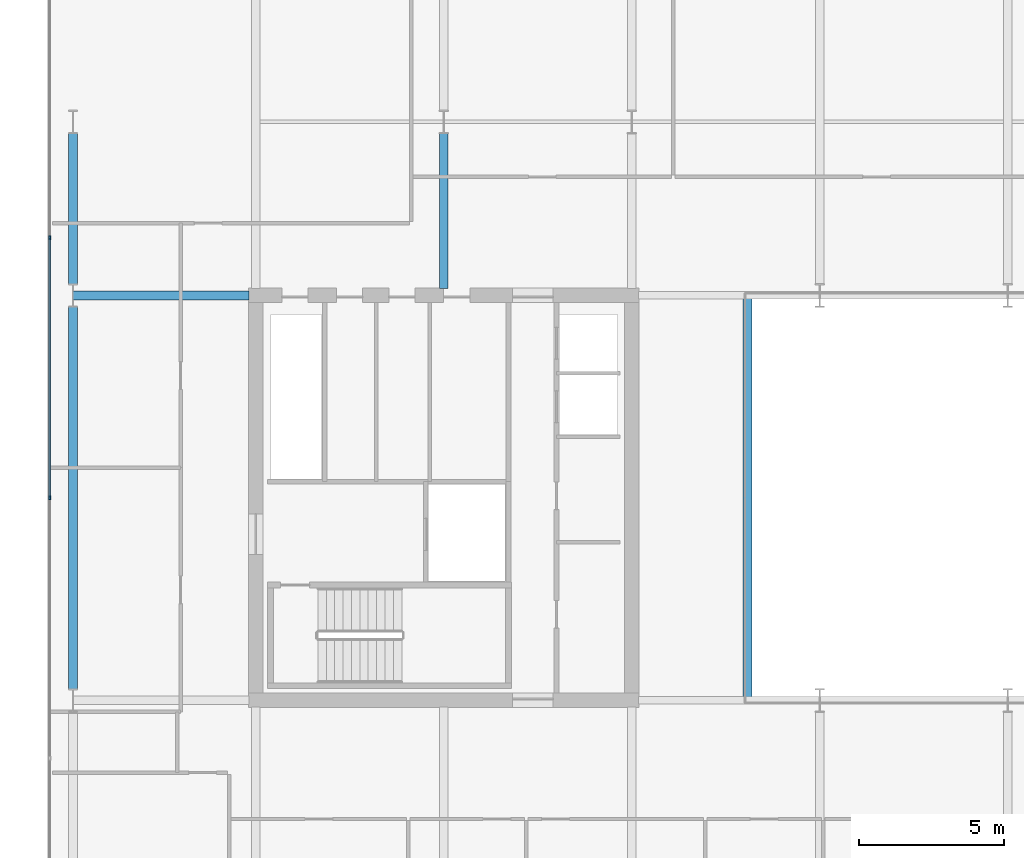
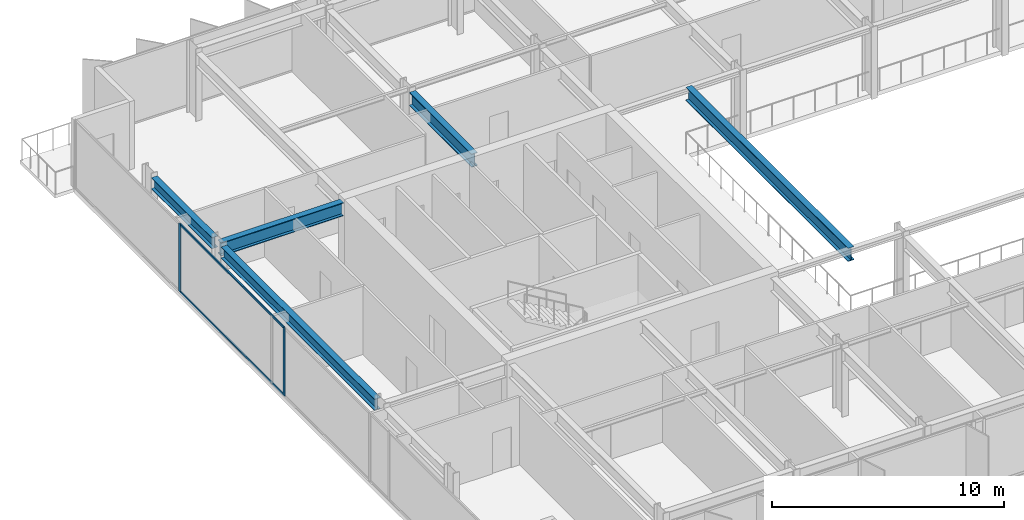
# One storey, part 5 of 23: 5 beams, 4 members, 1 element without a shape of its own.
"""IFC4 building model written with IfcOpenShell, lengths in metres."""

import ifcopenshell
import ifcopenshell.guid

model = None  # the IFC model being written
_history = None  # IfcOwnerHistory: only IFC2X3 demands one
_inside = {}  # id of a spatial element -> (the spatial element, [elements in it])
_under = {}  # id of a project, library or spatial element -> (it, [spatial elements below it])
_declared = {}  # id of a project -> (the project, [libraries it declares])
_typed = {}  # id of a type object -> (the type object, [elements of that type])
_made_of = {}  # id of a material, layer set ... -> (it, [elements and type objects made of it])


def new_model(schema):
    """Start an empty IFC model of exactly this schema.

    Asked for "IFC4X3", IfcOpenShell would pick the latest addendum, in which some entities
    have other attributes; the version numbers below select the first issue.
    IFC2X3 requires an IfcOwnerHistory on every rooted entity: one is made here for all.
    """
    global model, _history
    if schema == "IFC4X3":
        model = ifcopenshell.file(schema_version=(4, 3, 0, 0))
    else:
        model = ifcopenshell.file(schema=schema)
    _inside.clear()
    _under.clear()
    _declared.clear()
    _typed.clear()
    _made_of.clear()
    _history = None
    if model.schema == "IFC2X3":
        org = make("IfcOrganization", Name="unknown")
        user = make(
            "IfcPersonAndOrganization",
            ThePerson=make("IfcPerson", FamilyName="unknown"),
            TheOrganization=org,
        )
        app = make(
            "IfcApplication",
            ApplicationDeveloper=org,
            Version="unknown",
            ApplicationFullName="unknown",
            ApplicationIdentifier="unknown",
        )
        _history = make(
            "IfcOwnerHistory",
            OwningUser=user,
            OwningApplication=app,
            ChangeAction="ADDED",
            CreationDate=0,
        )
    return model


def make(cls, **values):
    """One entity of the class cls with the attributes given. An attribute that is None is left unset."""
    return model.create_entity(
        cls, **{name: value for name, value in values.items() if value is not None}
    )


def rooted(cls, **values):
    """An entity with a GlobalId (a new one), such as an element, a storey or a relation."""
    return make(cls, GlobalId=ifcopenshell.guid.new(), OwnerHistory=_history, **values)


def si_unit(unit_type, name, prefix=None):
    """IfcSIUnit, for example si_unit("LENGTHUNIT", "METRE", prefix="MILLI")."""
    return make("IfcSIUnit", UnitType=unit_type, Prefix=prefix, Name=name)


def assignment(units):
    """IfcUnitAssignment: the units of a project."""
    return None if units is None else make("IfcUnitAssignment", Units=units)


def point(xyz):
    """IfcCartesianPoint."""
    return None if xyz is None else make("IfcCartesianPoint", Coordinates=xyz)


def direction(xyz):
    """IfcDirection."""
    return None if xyz is None else make("IfcDirection", DirectionRatios=xyz)


def frame(location, z_axis=None, x_axis=None):
    """IfcAxis2Placement3D, a coordinate frame: its origin and axes. An axis left out is left unset."""
    return make(
        "IfcAxis2Placement3D",
        Location=point(location),
        Axis=direction(z_axis),
        RefDirection=direction(x_axis),
    )


def frame_2d(location, x_axis=None):
    """IfcAxis2Placement2D, a coordinate frame in the plane: its origin and x axis."""
    return make(
        "IfcAxis2Placement2D", Location=point(location), RefDirection=direction(x_axis)
    )


def origin():
    """The frame at (0, 0, 0) with its axes left unset."""
    return frame((0.0, 0.0, 0.0))


def origin_2d():
    """The frame at (0, 0) in the plane with its x axis left unset."""
    return frame_2d((0.0, 0.0))


def place(relative_to, where):
    """IfcLocalPlacement: puts the frame where relative to a parent placement (None: the world)."""
    return make(
        "IfcLocalPlacement", PlacementRelTo=relative_to, RelativePlacement=where
    )


def context(
    kind, dimensions, precision=None, world=None, true_north=None, identifier=None
):
    """IfcGeometricRepresentationContext, for example the 3D "Model" context."""
    return make(
        "IfcGeometricRepresentationContext",
        ContextIdentifier=identifier,
        ContextType=kind,
        CoordinateSpaceDimension=dimensions,
        Precision=precision,
        WorldCoordinateSystem=world,
        TrueNorth=true_north,
    )


def subcontext(parent, identifier, kind, view, scale=None):
    """IfcGeometricRepresentationSubContext, for example "Body" below "Model"."""
    return make(
        "IfcGeometricRepresentationSubContext",
        ContextIdentifier=identifier,
        ContextType=kind,
        ParentContext=parent,
        TargetScale=scale,
        TargetView=view,
    )


def project(units=None, contexts=None):
    """IfcProject with its units and contexts."""
    return rooted(
        "IfcProject",
        Name="project",
        RepresentationContexts=contexts,
        UnitsInContext=assignment(units),
    )


def spatial(cls, under=None, at=None, **own):
    """A site, building, storey or space (cls), placed at a placement, below another one or the project."""
    s = rooted(cls, ObjectPlacement=at, **own)
    if under is not None:
        _under.setdefault(under.id(), (under, []))[1].append(s)
    return s


def profile(cls, at=None, kind="AREA", **sizes):
    """A parametric profile (cls). Its sizes go by their IFC names, for example OverallWidth=200.0."""
    return make(cls, ProfileType=kind, Position=at, **sizes)


def rectangle(**sizes):
    """IfcRectangleProfileDef."""
    return profile("IfcRectangleProfileDef", **sizes)


def i_section(**sizes):
    """IfcIShapeProfileDef."""
    return profile("IfcIShapeProfileDef", **sizes)


def extrude(swept, where, along, depth):
    """IfcExtrudedAreaSolid: the profile swept, set in the frame where, extruded along a direction by depth."""
    return make(
        "IfcExtrudedAreaSolid",
        SweptArea=swept,
        Position=where,
        ExtrudedDirection=direction(along),
        Depth=depth,
    )


def shape(context_of_items, identifier, shape_type, items):
    """IfcShapeRepresentation: the items that make up one representation, for example the "Body"."""
    return make(
        "IfcShapeRepresentation",
        ContextOfItems=context_of_items,
        RepresentationIdentifier=identifier,
        RepresentationType=shape_type,
        Items=items,
    )


def material(Name=None, Category=None):
    """IfcMaterial."""
    return make("IfcMaterial", Name=Name, Category=Category)


def layer(
    of_material, thickness, ventilated=None, Name=None, Category=None, Priority=None
):
    """IfcMaterialLayer: one layer of a wall or slab, of a material (None: an air gap)."""
    return make(
        "IfcMaterialLayer",
        Material=of_material,
        LayerThickness=thickness,
        IsVentilated=ventilated,
        Name=Name,
        Category=Category,
        Priority=Priority,
    )


def layer_set(layers, Name=None):
    """IfcMaterialLayerSet."""
    return make("IfcMaterialLayerSet", MaterialLayers=layers, LayerSetName=Name)


def material_profile(
    of_material, cross_section, Name=None, Category=None, Priority=None
):
    """IfcMaterialProfile: a cross section and its material."""
    return make(
        "IfcMaterialProfile",
        Name=Name,
        Material=of_material,
        Profile=cross_section,
        Priority=Priority,
        Category=Category,
    )


def profile_set(profiles, Name=None, composite=None):
    """IfcMaterialProfileSet."""
    return make(
        "IfcMaterialProfileSet",
        Name=Name,
        MaterialProfiles=profiles,
        CompositeProfile=composite,
    )


def made_of(thing, what):
    """Note that an element or type object is made of a material, layer set ...; save() writes the relation."""
    if what is not None:
        _made_of.setdefault(what.id(), (what, []))[1].append(thing)
    return thing


def type_object(cls, material=None, **own):
    """A type object (cls), such as IfcWallType, which elements share."""
    return made_of(rooted(cls, **own), material)


def element(
    cls,
    number,
    at=None,
    inside=None,
    cuts=None,
    type_object=None,
    material=None,
    context=None,
    identifier="Body",
    shape_type=None,
    held_by="IfcProductDefinitionShape",
    body=None,
    shapes=None,
    **own,
):
    """One element of the class cls, such as IfcWall. Its Tag is "e" and its number.

    at: its placement. inside: the storey or other place that contains it. cuts: it is an
    opening in that element (IfcRelVoidsElement). A single representation is given by context,
    identifier, shape_type and body (its items); several are given by shapes. held_by: the class
    of the entity that holds the representations. save() writes the other relations.
    """
    e = rooted(cls, Tag="e%d" % number, ObjectPlacement=at, **own)
    if body is not None:
        shapes = [shape(context, identifier, shape_type, body)]
    if shapes is not None:
        e.Representation = make(held_by, Representations=shapes)
    if inside is not None:
        _inside.setdefault(inside.id(), (inside, []))[1].append(e)
    if cuts is not None:
        rooted(
            "IfcRelVoidsElement", RelatingBuildingElement=cuts, RelatedOpeningElement=e
        )
    if type_object is not None:
        _typed.setdefault(type_object.id(), (type_object, []))[1].append(e)
    return made_of(e, material)


def aggregate(whole, parts):
    """IfcRelAggregates: a whole, such as a stair, and the parts it consists of."""
    return rooted("IfcRelAggregates", RelatingObject=whole, RelatedObjects=parts)


def save(model, path):
    """Write the relations noted so far, then the file.

    IfcRelAggregates (storeys below a building ...), IfcRelContainedInSpatialStructure (elements
    in a storey), IfcRelDefinesByType, IfcRelAssociatesMaterial and IfcRelDeclares: one each for
    every whole, place, type object, material and project.
    """
    for whole, parts in _under.values():
        aggregate(whole, parts)
    for where, things in _inside.values():
        rooted(
            "IfcRelContainedInSpatialStructure",
            RelatedElements=things,
            RelatingStructure=where,
        )
    for kind, things in _typed.values():
        rooted("IfcRelDefinesByType", RelatedObjects=things, RelatingType=kind)
    for what, things in _made_of.values():
        rooted("IfcRelAssociatesMaterial", RelatedObjects=things, RelatingMaterial=what)
    for by, libraries in _declared.values():
        rooted("IfcRelDeclares", RelatingContext=by, RelatedDefinitions=libraries)
    model.write(path)


model = new_model("IFC4")

# Units and contexts
model_context = context("Model", 3, precision=1e-05, world=origin(), true_north=direction((0.0, 1.0)))
body_context = subcontext(model_context, "Body", "Model", "MODEL_VIEW")
ifc_project = project(units=[si_unit("LENGTHUNIT", "METRE"), si_unit("AREAUNIT", "SQUARE_METRE"), si_unit("VOLUMEUNIT", "CUBIC_METRE"), si_unit("PLANEANGLEUNIT", "RADIAN"), si_unit("MASSUNIT", "GRAM", prefix="KILO")], contexts=[model_context])

# Site, building, storey
site_placement = place(None, origin())
site = spatial("IfcSite", under=ifc_project, at=site_placement, CompositionType="ELEMENT")
building_placement = place(site_placement, origin())
building = spatial("IfcBuilding", under=site, at=building_placement, Name="Putna Gate Headquarters", CompositionType="ELEMENT")
storey_placement = place(building_placement, frame((0.0, 0.0, 221.39990234375)))
storey = spatial("IfcBuildingStorey", under=building, at=storey_placement, Name="L55", CompositionType="ELEMENT", Elevation=221.39990234375)

# Beams
ifc_material_1 = material(Name="Steel S355J2", Category="steel")
ifc_material_profile_1 = material_profile(ifc_material_1, i_section(OverallWidth=0.300048828125, OverallDepth=0.699951171875, WebThickness=0.01708984375, FlangeThickness=0.031982421875, at=origin_2d()), Name="Steel S355J2")
ifc_profile_set_1 = profile_set([ifc_material_profile_1], Name="Steel S355J2")
beam_type_1 = type_object("IfcBeamType", Name="BM-GIRD-B-HEB700", PredefinedType="USERDEFINED", material=ifc_profile_set_1)
beam_1_placement = place(storey_placement, frame((6.68603515625, 33.0, 3.22998046875), z_axis=(1.0, 0.0, 0.0), x_axis=(0.0, 1.0, 0.0)))
element("IfcBeam", 1, at=beam_1_placement, inside=storey, type_object=beam_type_1, Name="L55 West Wing Girder Y33", ObjectType="GIRDER", PredefinedType="USERDEFINED", context=body_context, shape_type="SweptSolid", body=[
    extrude(i_section(OverallWidth=0.300048828125, OverallDepth=0.699951171875, WebThickness=0.01708984375, FlangeThickness=0.031982421875, at=origin_2d()), origin(), (0.0, 0.0, 1.0), 6.078857421875),
])
beam_2_placement = place(storey_placement, frame((19.5, 33.235107421875, 3.22998046875), z_axis=(0.0, 1.0, 0.0), x_axis=(-1.0, 0.0, 0.0)))
element("IfcBeam", 2, at=beam_2_placement, inside=storey, type_object=beam_type_1, Name="L55 North Primary Girder X19-1", ObjectType="GIRDER", PredefinedType="USERDEFINED", context=body_context, shape_type="SweptSolid", body=[
    extrude(i_section(OverallWidth=0.300048828125, OverallDepth=0.699951171875, WebThickness=0.01708984375, FlangeThickness=0.031982421875, at=origin_2d()), origin(), (0.0, 0.0, 1.0), 5.369873046875),
])
beam_3_placement = place(storey_placement, frame((30.0, 19.010009765625, 3.22998046875), z_axis=(0.0, 1.0, 0.0), x_axis=(-1.0, 0.0, 0.0)))
element("IfcBeam", 3, at=beam_3_placement, inside=storey, type_object=beam_type_1, Name="L55 Atrium Trim Girder AW", ObjectType="GIRDER", PredefinedType="USERDEFINED", context=body_context, shape_type="SweptSolid", body=[
    extrude(i_section(OverallWidth=0.300048828125, OverallDepth=0.699951171875, WebThickness=0.01708984375, FlangeThickness=0.031982421875, at=origin_2d()), origin(), (0.0, 0.0, 1.0), 13.97998046875),
])
ifc_material_profile_2 = material_profile(ifc_material_1, i_section(OverallWidth=0.300048828125, OverallDepth=0.590087890625, WebThickness=0.012939453125, FlangeThickness=0.02490234375, at=origin_2d()), Name="Steel S355J2")
ifc_profile_set_2 = profile_set([ifc_material_profile_2], Name="Steel S355J2")
beam_type_2 = type_object("IfcBeamType", Name="BM-SPAN-Z4-HEA600", PredefinedType="SPANDREL", material=ifc_profile_set_2)
beam_4_placement = place(storey_placement, frame((6.679931640625, 19.39501953125, 3.28515625), z_axis=(0.0, 1.0, 0.0), x_axis=(-1.0, 0.0, 0.0)))
element("IfcBeam", 4, at=beam_4_placement, inside=storey, type_object=beam_type_2, Name="L55 W End Spandrel 2", PredefinedType="SPANDREL", context=body_context, shape_type="SweptSolid", body=[
    extrude(i_section(OverallWidth=0.300048828125, OverallDepth=0.590087890625, WebThickness=0.012939453125, FlangeThickness=0.02490234375, at=origin_2d()), origin(), (0.0, 0.0, 1.0), 13.2099609375),
])
beam_5_placement = place(storey_placement, frame((6.679931640625, 33.39501953125, 3.28515625), z_axis=(0.0, 1.0, 0.0), x_axis=(-1.0, 0.0, 0.0)))
element("IfcBeam", 5, at=beam_5_placement, inside=storey, type_object=beam_type_2, Name="L55 W End Spandrel 3", PredefinedType="SPANDREL", context=body_context, shape_type="SweptSolid", body=[
    extrude(i_section(OverallWidth=0.300048828125, OverallDepth=0.590087890625, WebThickness=0.012939453125, FlangeThickness=0.02490234375, at=origin_2d()), origin(), (0.0, 0.0, 1.0), 5.2099609375),
])

# Curtain wall, members
ifc_material_2 = material(Name="Anodised bronze aluminium curtain wall", Category="aluminium")
ifc_layer = layer(ifc_material_2, 0.139892578125)
ifc_layer_set = layer_set([ifc_layer], Name="Anodised bronze aluminium curtain wall")
curtain_wall_type = type_object("IfcCurtainWallType", Name="CW-SYS-Z4", PredefinedType="USERDEFINED", material=ifc_layer_set)
curtain_wall_placement = place(storey_placement, origin())
curtain_wall = element("IfcCurtainWall", 6, at=curtain_wall_placement, inside=storey, type_object=curtain_wall_type, Name="L55 West Curtain Wall", ObjectType="STICK CURTAIN WALL", PredefinedType="USERDEFINED")
ifc_material_3 = material(Name="Anodised bronze aluminium EN AW-6060", Category="aluminium")
ifc_material_profile_3 = material_profile(ifc_material_3, rectangle(XDim=0.06005859375, YDim=0.139892578125, at=origin_2d()), Name="Anodised bronze aluminium EN AW-6060")
ifc_profile_set_3 = profile_set([ifc_material_profile_3], Name="Anodised bronze aluminium EN AW-6060")
member_type_1 = type_object("IfcMemberType", Name="MULL-CWM-4", PredefinedType="MULLION", material=ifc_profile_set_3)
member_1_placement = place(storey_placement, frame((5.8798828125, 26.0, 0.0), z_axis=(0.0, 0.0, 1.0), x_axis=(-1.0, 0.0, 0.0)))
member_1 = element("IfcMember", 7, at=member_1_placement, type_object=member_type_1, Name="CWS-4 mullion 3", PredefinedType="MULLION", context=body_context, shape_type="SweptSolid", body=[
    extrude(rectangle(XDim=0.06005859375, YDim=0.139892578125, at=origin_2d()), origin(), (0.0, 0.0, 1.0), 3.580078125),
])
member_2_placement = place(storey_placement, frame((5.8798828125, 35.0, 0.0), z_axis=(0.0, 0.0, 1.0), x_axis=(-1.0, 0.0, 0.0)))
member_2 = element("IfcMember", 8, at=member_2_placement, type_object=member_type_1, Name="CWS-4 mullion 4", PredefinedType="MULLION", context=body_context, shape_type="SweptSolid", body=[
    extrude(rectangle(XDim=0.06005859375, YDim=0.139892578125, at=origin_2d()), origin(), (0.0, 0.0, 1.0), 3.580078125),
])
ifc_material_profile_4 = material_profile(ifc_material_3, rectangle(XDim=0.06005859375, YDim=0.10009765625, at=origin_2d()), Name="Anodised bronze aluminium EN AW-6060")
ifc_profile_set_4 = profile_set([ifc_material_profile_4], Name="Anodised bronze aluminium EN AW-6060")
member_type_2 = type_object("IfcMemberType", Name="TRAN-CWT-4", PredefinedType="USERDEFINED", material=ifc_profile_set_4)
member_3_placement = place(storey_placement, frame((5.8798828125, 26.030029296875, 0.030029296875), z_axis=(0.0, 1.0, 0.0), x_axis=(-1.0, 0.0, 0.0)))
member_3 = element("IfcMember", 9, at=member_3_placement, type_object=member_type_2, Name="CWS-4 transom 3.1", ObjectType="TRANSOM", PredefinedType="USERDEFINED", context=body_context, shape_type="SweptSolid", body=[
    extrude(rectangle(XDim=0.06005859375, YDim=0.10009765625, at=origin_2d()), origin(), (0.0, 0.0, 1.0), 8.93994140625),
])
member_4_placement = place(storey_placement, frame((5.8798828125, 26.030029296875, 3.550048828125), z_axis=(0.0, 1.0, 0.0), x_axis=(-1.0, 0.0, 0.0)))
member_4 = element("IfcMember", 10, at=member_4_placement, type_object=member_type_2, Name="CWS-4 transom 3.2", ObjectType="TRANSOM", PredefinedType="USERDEFINED", context=body_context, shape_type="SweptSolid", body=[
    extrude(rectangle(XDim=0.06005859375, YDim=0.10009765625, at=origin_2d()), origin(), (0.0, 0.0, 1.0), 8.93994140625),
])
aggregate(curtain_wall, [member_1, member_2, member_3, member_4])

save(model, "model.ifc")
